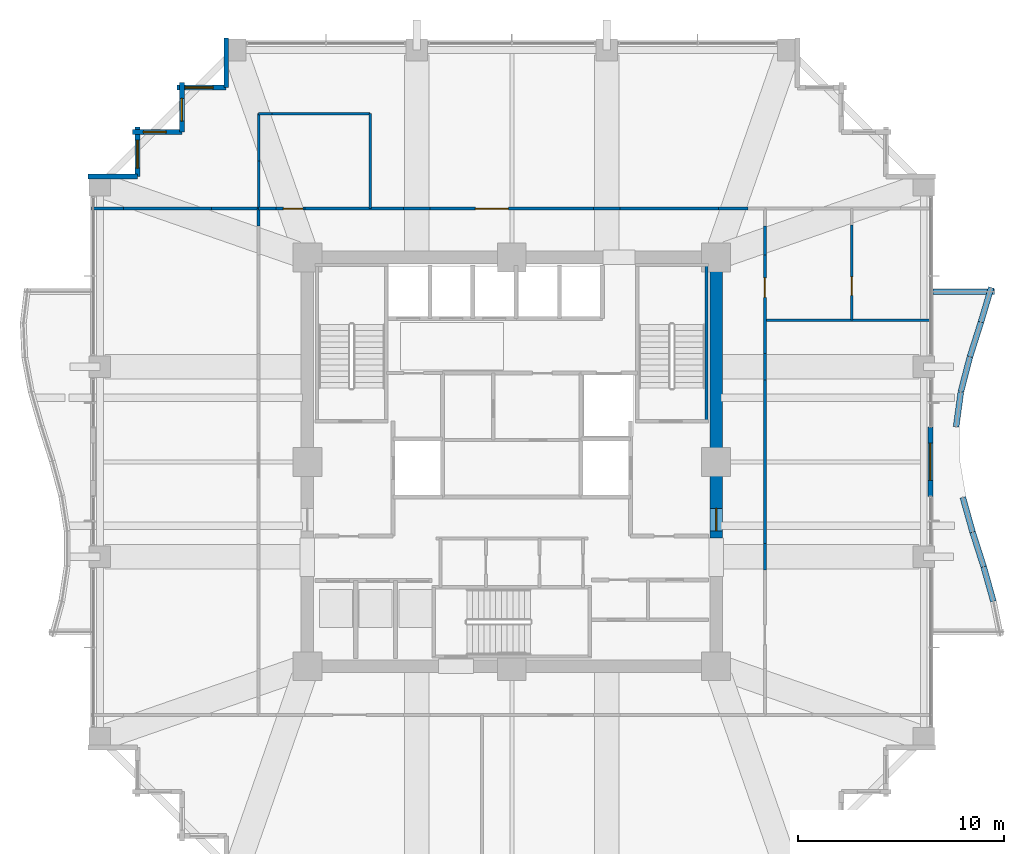
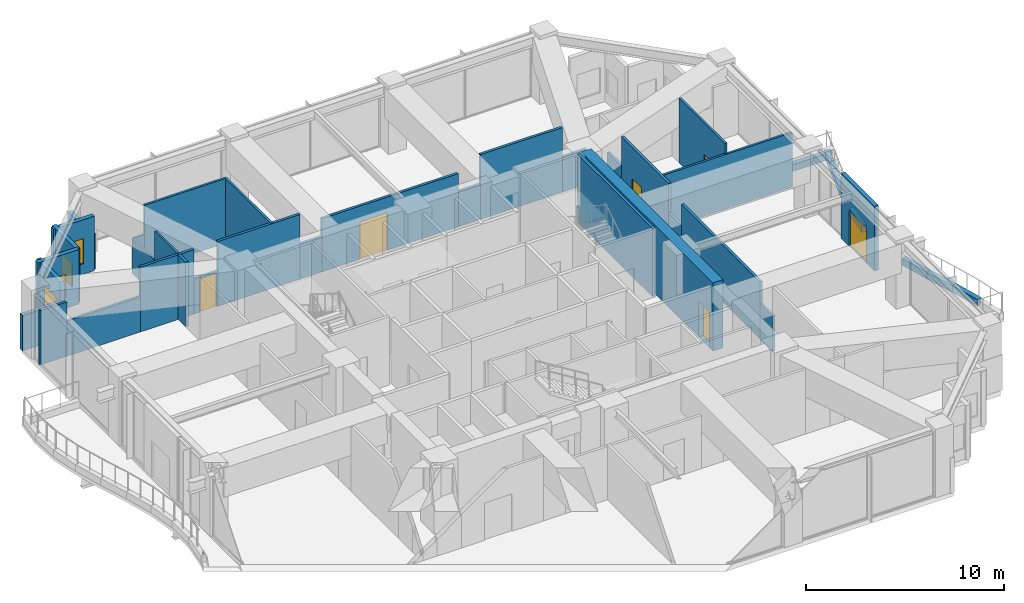
# One storey, part 36 of 40: 41 walls, 6 doors, 4 windows, 10 openings.
"""IFC4 building model written with IfcOpenShell, lengths in metres."""

from ifc_helpers import new_model, si_unit, direction, frame, frame_2d, origin, place, context, subcontext, project, spatial, rectangle, extrude, material, layer, layer_set, type_object, element, fill, save


model = new_model("IFC4")

# Units and contexts
model_context = context("Model", 3, precision=1e-05, world=origin(), true_north=direction((0.0, 1.0)))
body_context = subcontext(model_context, "Body", "Model", "MODEL_VIEW")
ifc_project = project(units=[si_unit("LENGTHUNIT", "METRE"), si_unit("AREAUNIT", "SQUARE_METRE"), si_unit("VOLUMEUNIT", "CUBIC_METRE"), si_unit("PLANEANGLEUNIT", "RADIAN"), si_unit("MASSUNIT", "GRAM", prefix="KILO")], contexts=[model_context])

# Site, building, storey
site_placement = place(None, origin())
site = spatial("IfcSite", under=ifc_project, at=site_placement, CompositionType="ELEMENT")
building_placement = place(site_placement, origin())
building = spatial("IfcBuilding", under=site, at=building_placement, Name="Kolvaren Belvedere", CompositionType="ELEMENT")
storey_placement = place(building_placement, frame((0.0, 0.0, 68.0)))
storey = spatial("IfcBuildingStorey", under=building, at=storey_placement, Name="L19", CompositionType="ELEMENT", Elevation=68.0)

# Wall, opening, door
ifc_material_1 = material(Name="Concrete C60/75", Category="concrete")
ifc_layer_1 = layer(ifc_material_1, 0.60009765625)
ifc_layer_set_1 = layer_set([ifc_layer_1], Name="Concrete C60/75")
wall_type_1 = type_object("IfcWallType", Name="CW-CORE-600", PredefinedType="SHEAR", material=ifc_layer_set_1)
wall_1_placement = place(storey_placement, frame((9.89990234375, -3.699951171875, 0.0), z_axis=(0.0, 0.0, 1.0), x_axis=(0.0, 1.0, 0.0)))
wall_1 = element("IfcWall", 1, at=wall_1_placement, inside=storey, type_object=wall_type_1, Name="L19 East Core Shear Wall 2", PredefinedType="SHEAR", context=body_context, shape_type="SweptSolid", body=[
    extrude(rectangle(XDim=13.300048828125, YDim=0.60009765625, at=frame_2d((6.64990234375, 0.0))), origin(), (0.0, 0.0, 1.0), 4.199951171875),
])
opening_1_placement = place(wall_1_placement, frame((0.35009765625, 0.0, 0.0)))
opening_1 = element("IfcOpeningElement", 2, at=opening_1_placement, cuts=wall_1, Name="Opening D-FD90", PredefinedType="OPENING", context=body_context, shape_type="SweptSolid", body=[
    extrude(rectangle(XDim=1.10009765625, YDim=2.199951171875, at=frame_2d((0.550048828125, 1.10009765625))), frame((0.0, 0.31005859375, 0.0), z_axis=(0.0, -1.0, 0.0), x_axis=(1.0, 0.0, 0.0)), (0.0, 0.0, 1.0), 0.6201171875),
])
ifc_material_2 = material(Name="Painted hollow stainless steel", Category="steel")
door_type_1 = type_object("IfcDoorType", Name="DR-FD90-1100", OperationType="NOTDEFINED", PredefinedType="DOOR", material=ifc_material_2)
door_1_placement = place(opening_1_placement, origin())
door_1 = element("IfcDoor", 3, at=door_1_placement, inside=storey, type_object=door_type_1, Name="L19 East Firefighting Lobby Fire Door", OperationType="SINGLE_SWING_RIGHT", OverallHeight=2.199951171875, OverallWidth=1.10009765625, PredefinedType="DOOR", context=body_context, shape_type="SweptSolid", body=[
    extrude(rectangle(XDim=1.10009765625, YDim=2.199951171875, at=frame_2d((0.550048828125, 1.10009765625))), frame((0.0, 0.02490234375, 0.0), z_axis=(0.0, -1.0, 0.0), x_axis=(1.0, 0.0, 0.0)), (0.0, 0.0, 1.0), 0.050048828125),
])
fill(opening_1, door_1)

# Walls
ifc_material_3 = material(Name="Concrete C50/60", Category="concrete")
ifc_layer_2 = layer(ifc_material_3, 0.159912109375)
ifc_layer_set_2 = layer_set([ifc_layer_2], Name="Concrete C50/60")
wall_type_2 = type_object("IfcWallType", Name="CW-STAIR-160", PredefinedType="SHEAR", material=ifc_layer_set_2)
wall_2_placement = place(storey_placement, frame((9.429931640625, 1.969970703125, 0.0), z_axis=(0.0, 0.0, 1.0), x_axis=(0.0, 1.0, 0.0)))
element("IfcWall", 4, at=wall_2_placement, inside=storey, type_object=wall_type_2, Name="L19 Stair ST-2 East Shear Wall", PredefinedType="SHEAR", context=body_context, shape_type="SweptSolid", body=[
    extrude(rectangle(XDim=7.56005859375, YDim=0.159912109375, at=frame_2d((3.780029296875, 0.0))), origin(), (0.0, 0.0, 1.0), 4.199951171875),
])
ifc_material_4 = material(Name="Gypsum fire-rated partition assembly", Category="gypsum")
ifc_layer_3 = layer(ifc_material_4, 0.14990234375)
ifc_layer_set_3 = layer_set([ifc_layer_3], Name="Gypsum fire-rated partition assembly")
wall_type_3 = type_object("IfcWallType", Name="WL-CORR-150", PredefinedType="PARTITIONING", material=ifc_layer_set_3)
wall_3_placement = place(storey_placement, frame((-12.260009765625, 12.260009765625, 0.0), z_axis=(0.0, 0.0, 1.0), x_axis=(1.0, 0.0, 0.0)))
element("IfcWall", 5, at=wall_3_placement, inside=storey, type_object=wall_type_3, Name="L19 North Corridor Wall", PredefinedType="PARTITIONING", context=body_context, shape_type="SweptSolid", body=[
    extrude(rectangle(XDim=0.829833984375, YDim=0.14990234375, at=frame_2d((0.4150390625, 0.0))), origin(), (0.0, 0.0, 1.0), 3.97998046875),
])

# Wall, opening, door
wall_4_placement = place(storey_placement, frame((-11.43017578125, 12.260009765625, 0.0), z_axis=(0.0, 0.0, 1.0), x_axis=(1.0, 0.0, 0.0)))
wall_4 = element("IfcWall", 6, at=wall_4_placement, inside=storey, type_object=wall_type_3, Name="L19 North Corridor Wall", PredefinedType="PARTITIONING", context=body_context, shape_type="SweptSolid", body=[
    extrude(rectangle(XDim=1.416748046875, YDim=0.14990234375, at=frame_2d((0.70849609375, 0.0))), origin(), (0.0, 0.0, 1.0), 2.1650390625),
])
opening_2_placement = place(wall_4_placement, frame((0.36669921875, 0.0, 0.0)))
opening_2 = element("IfcOpeningElement", 7, at=opening_2_placement, cuts=wall_4, Name="Opening D-INT95", PredefinedType="OPENING", context=body_context, shape_type="SweptSolid", body=[
    extrude(rectangle(XDim=0.949951171875, YDim=2.06005859375, at=frame_2d((0.47509765625, 1.030029296875))), frame((0.0, 0.0849609375, 0.0), z_axis=(0.0, -1.0, 0.0), x_axis=(1.0, 0.0, 0.0)), (0.0, 0.0, 1.0), 0.169921875),
])
ifc_material_5 = material(Name="Stained Pacific white oak", Category="timber")
door_type_2 = type_object("IfcDoorType", Name="DR-INT-950", OperationType="NOTDEFINED", PredefinedType="DOOR", material=ifc_material_5)
door_2_placement = place(opening_2_placement, origin())
door_2 = element("IfcDoor", 8, at=door_2_placement, inside=storey, type_object=door_type_2, Name="L19 Accessible Sky Washroom Door", OperationType="SINGLE_SWING_LEFT", OverallHeight=2.06005859375, OverallWidth=0.949951171875, PredefinedType="DOOR", context=body_context, shape_type="SweptSolid", body=[
    extrude(rectangle(XDim=0.949951171875, YDim=2.06005859375, at=frame_2d((0.47509765625, 1.030029296875))), frame((0.0, 0.02490234375, 0.0), z_axis=(0.0, -1.0, 0.0), x_axis=(1.0, 0.0, 0.0)), (0.0, 0.0, 1.0), 0.050048828125),
])
fill(opening_2, door_2)

# Walls
wall_5_placement = place(storey_placement, frame((-10.013427734375, 12.260009765625, 0.0), z_axis=(0.0, 0.0, 1.0), x_axis=(1.0, 0.0, 0.0)))
element("IfcWall", 9, at=wall_5_placement, inside=storey, type_object=wall_type_3, Name="L19 North Corridor Wall", PredefinedType="PARTITIONING", context=body_context, shape_type="SweptSolid", body=[
    extrude(rectangle(XDim=4.771484375, YDim=0.14990234375, at=frame_2d((2.3857421875, 0.0))), origin(), (0.0, 0.0, 1.0), 3.97998046875),
])
wall_6_placement = place(storey_placement, frame((-5.241943359375, 12.260009765625, 0.0), z_axis=(0.0, 0.0, 1.0), x_axis=(1.0, 0.0, 0.0)))
element("IfcWall", 10, at=wall_6_placement, inside=storey, type_object=wall_type_3, Name="L19 North Corridor Wall", PredefinedType="PARTITIONING", context=body_context, shape_type="SweptSolid", body=[
    extrude(rectangle(XDim=1.283935546875, YDim=0.14990234375, at=frame_2d((0.64208984375, 0.0))), origin(), (0.0, 0.0, 1.0), 2.1650390625),
])

# Wall, opening, door
wall_7_placement = place(storey_placement, frame((-3.9580078125, 12.260009765625, 0.0), z_axis=(0.0, 0.0, 1.0), x_axis=(1.0, 0.0, 0.0)))
wall_7 = element("IfcWall", 11, at=wall_7_placement, inside=storey, type_object=wall_type_3, Name="L19 North Corridor Wall", PredefinedType="PARTITIONING", context=body_context, shape_type="SweptSolid", body=[
    extrude(rectangle(XDim=7.916015625, YDim=0.14990234375, at=frame_2d((3.9580078125, 0.0))), origin(), (0.0, 0.0, 1.0), 3.26904296875),
])
opening_3_placement = place(wall_7_placement, frame((2.197998046875, 0.0, 0.0)))
opening_3 = element("IfcOpeningElement", 12, at=opening_3_placement, cuts=wall_7, Name="Opening D-GL16", PredefinedType="OPENING", context=body_context, shape_type="SweptSolid", body=[
    extrude(rectangle(XDim=1.60009765625, YDim=2.300048828125, at=frame_2d((0.800048828125, 1.14990234375))), frame((0.0, 0.0849609375, 0.0), z_axis=(0.0, -1.0, 0.0), x_axis=(1.0, 0.0, 0.0)), (0.0, 0.0, 1.0), 0.169921875),
])
ifc_material_6 = material(Name="Anodised pale-metal aluminium & safety glass", Category="aluminium")
door_type_3 = type_object("IfcDoorType", Name="DR-GLAZ-1600", OperationType="DOUBLE_DOOR_SINGLE_SWING", PredefinedType="DOOR", material=ifc_material_6)
door_3_placement = place(opening_3_placement, origin())
door_3 = element("IfcDoor", 13, at=door_3_placement, inside=storey, type_object=door_type_3, Name="L19 North Panoramic Lounge Door", OperationType="DOUBLE_DOOR_SINGLE_SWING", OverallHeight=2.300048828125, OverallWidth=1.60009765625, PredefinedType="DOOR", context=body_context, shape_type="SweptSolid", body=[
    extrude(rectangle(XDim=1.60009765625, YDim=2.300048828125, at=frame_2d((0.800048828125, 1.14990234375))), frame((0.0, 0.02490234375, 0.0), z_axis=(0.0, -1.0, 0.0), x_axis=(1.0, 0.0, 0.0)), (0.0, 0.0, 1.0), 0.050048828125),
])
fill(opening_3, door_3)

# Walls
wall_8_placement = place(storey_placement, frame((3.9580078125, 12.260009765625, 0.0), z_axis=(0.0, 0.0, 1.0), x_axis=(1.0, 0.0, 0.0)))
element("IfcWall", 14, at=wall_8_placement, inside=storey, type_object=wall_type_3, Name="L19 North Corridor Wall", PredefinedType="PARTITIONING", context=body_context, shape_type="SweptSolid", body=[
    extrude(rectangle(XDim=1.283935546875, YDim=0.14990234375, at=frame_2d((0.64208984375, 0.0))), origin(), (0.0, 0.0, 1.0), 2.1650390625),
])
wall_9_placement = place(storey_placement, frame((5.241943359375, 12.260009765625, 0.0), z_axis=(0.0, 0.0, 1.0), x_axis=(1.0, 0.0, 0.0)))
element("IfcWall", 15, at=wall_9_placement, inside=storey, type_object=wall_type_3, Name="L19 North Corridor Wall", PredefinedType="PARTITIONING", context=body_context, shape_type="SweptSolid", body=[
    extrude(rectangle(XDim=4.771484375, YDim=0.14990234375, at=frame_2d((2.3857421875, 0.0))), origin(), (0.0, 0.0, 1.0), 3.97998046875),
])
wall_10_placement = place(storey_placement, frame((10.013427734375, 12.260009765625, 0.0), z_axis=(0.0, 0.0, 1.0), x_axis=(1.0, 0.0, 0.0)))
element("IfcWall", 16, at=wall_10_placement, inside=storey, type_object=wall_type_3, Name="L19 North Corridor Wall", PredefinedType="PARTITIONING", context=body_context, shape_type="SweptSolid", body=[
    extrude(rectangle(XDim=1.416748046875, YDim=0.14990234375, at=frame_2d((0.70849609375, 0.0))), origin(), (0.0, 0.0, 1.0), 2.1650390625),
])
wall_11_placement = place(storey_placement, frame((-12.260009765625, 11.43017578125, 0.0), z_axis=(0.0, 0.0, 1.0), x_axis=(0.0, 1.0, 0.0)))
element("IfcWall", 17, at=wall_11_placement, inside=storey, type_object=wall_type_3, Name="L19 West Corridor Wall", PredefinedType="PARTITIONING", context=body_context, shape_type="SweptSolid", body=[
    extrude(rectangle(XDim=0.829833984375, YDim=0.14990234375, at=frame_2d((0.4150390625, 0.0))), origin(), (0.0, 0.0, 1.0), 3.97998046875),
])
wall_12_placement = place(storey_placement, frame((12.260009765625, -5.241943359375, 0.0), z_axis=(0.0, 0.0, 1.0), x_axis=(0.0, 1.0, 0.0)))
element("IfcWall", 18, at=wall_12_placement, inside=storey, type_object=wall_type_3, Name="L19 East Corridor Wall", PredefinedType="PARTITIONING", context=body_context, shape_type="SweptSolid", body=[
    extrude(rectangle(XDim=1.283935546875, YDim=0.14990234375, at=frame_2d((0.64208984375, 0.0))), origin(), (0.0, 0.0, 1.0), 2.1650390625),
])
wall_13_placement = place(storey_placement, frame((12.260009765625, -3.9580078125, 0.0), z_axis=(0.0, 0.0, 1.0), x_axis=(0.0, 1.0, 0.0)))
element("IfcWall", 19, at=wall_13_placement, inside=storey, type_object=wall_type_3, Name="L19 East Corridor Wall", PredefinedType="PARTITIONING", context=body_context, shape_type="SweptSolid", body=[
    extrude(rectangle(XDim=7.916015625, YDim=0.14990234375, at=frame_2d((3.9580078125, 0.0))), origin(), (0.0, 0.0, 1.0), 3.5048828125),
])
wall_14_placement = place(storey_placement, frame((12.260009765625, 3.9580078125, 0.0), z_axis=(0.0, 0.0, 1.0), x_axis=(0.0, 1.0, 0.0)))
element("IfcWall", 20, at=wall_14_placement, inside=storey, type_object=wall_type_3, Name="L19 East Corridor Wall", PredefinedType="PARTITIONING", context=body_context, shape_type="SweptSolid", body=[
    extrude(rectangle(XDim=1.283935546875, YDim=0.14990234375, at=frame_2d((0.64208984375, 0.0))), origin(), (0.0, 0.0, 1.0), 2.1650390625),
])

# Wall, opening, door
wall_15_placement = place(storey_placement, frame((12.260009765625, 5.241943359375, 0.0), z_axis=(0.0, 0.0, 1.0), x_axis=(0.0, 1.0, 0.0)))
wall_15 = element("IfcWall", 21, at=wall_15_placement, inside=storey, type_object=wall_type_3, Name="L19 East Corridor Wall", PredefinedType="PARTITIONING", context=body_context, shape_type="SweptSolid", body=[
    extrude(rectangle(XDim=4.771484375, YDim=0.14990234375, at=frame_2d((2.3857421875, 0.0))), origin(), (0.0, 0.0, 1.0), 3.97998046875),
])
opening_4_placement = place(wall_15_placement, frame((2.718017578125, 0.0, 0.0)))
opening_4 = element("IfcOpeningElement", 22, at=opening_4_placement, cuts=wall_15, Name="Opening D-INT95", PredefinedType="OPENING", context=body_context, shape_type="SweptSolid", body=[
    extrude(rectangle(XDim=0.949951171875, YDim=2.06005859375, at=frame_2d((0.47509765625, 1.030029296875))), frame((0.0, 0.0849609375, 0.0), z_axis=(0.0, -1.0, 0.0), x_axis=(1.0, 0.0, 0.0)), (0.0, 0.0, 1.0), 0.169921875),
])
door_4_placement = place(opening_4_placement, origin())
door_4 = element("IfcDoor", 23, at=door_4_placement, inside=storey, type_object=door_type_2, Name="L19 Sky Lobby Public Washroom Door", OperationType="SINGLE_SWING_RIGHT", OverallHeight=2.06005859375, OverallWidth=0.949951171875, PredefinedType="DOOR", context=body_context, shape_type="SweptSolid", body=[
    extrude(rectangle(XDim=0.949951171875, YDim=2.06005859375, at=frame_2d((0.47509765625, 1.030029296875))), frame((0.0, 0.02490234375, 0.0), z_axis=(0.0, -1.0, 0.0), x_axis=(1.0, 0.0, 0.0)), (0.0, 0.0, 1.0), 0.050048828125),
])
fill(opening_4, door_4)

# Walls
wall_16_placement = place(storey_placement, frame((12.260009765625, 10.013427734375, 0.0), z_axis=(0.0, 0.0, 1.0), x_axis=(0.0, 1.0, 0.0)))
element("IfcWall", 24, at=wall_16_placement, inside=storey, type_object=wall_type_3, Name="L19 East Corridor Wall", PredefinedType="PARTITIONING", context=body_context, shape_type="SweptSolid", body=[
    extrude(rectangle(XDim=1.416748046875, YDim=0.14990234375, at=frame_2d((0.70849609375, 0.0))), origin(), (0.0, 0.0, 1.0), 2.1650390625),
])
wall_17_placement = place(storey_placement, frame((-20.3798828125, 12.260009765625, 0.0), z_axis=(0.0, 0.0, 1.0), x_axis=(1.0, 0.0, 0.0)))
element("IfcWall", 25, at=wall_17_placement, inside=storey, type_object=wall_type_3, Name="L19 Sector Wall PW-L19-QNW", PredefinedType="PARTITIONING", context=body_context, shape_type="SweptSolid", body=[
    extrude(rectangle(XDim=1.5625, YDim=0.14990234375, at=frame_2d((0.78125, 0.0))), origin(), (0.0, 0.0, 1.0), 3.34912109375),
])
wall_18_placement = place(storey_placement, frame((-18.8173828125, 12.260009765625, 0.0), z_axis=(0.0, 0.0, 1.0), x_axis=(1.0, 0.0, 0.0)))
element("IfcWall", 26, at=wall_18_placement, inside=storey, type_object=wall_type_3, Name="L19 Sector Wall PW-L19-QNW", PredefinedType="PARTITIONING", context=body_context, shape_type="SweptSolid", body=[
    extrude(rectangle(XDim=4.281494140625, YDim=0.14990234375, at=frame_2d((2.140625, 0.0))), origin(), (0.0, 0.0, 1.0), 2.1650390625),
])
wall_19_placement = place(storey_placement, frame((-14.535888671875, 12.260009765625, 0.0), z_axis=(0.0, 0.0, 1.0), x_axis=(1.0, 0.0, 0.0)))
element("IfcWall", 27, at=wall_19_placement, inside=storey, type_object=wall_type_3, Name="L19 Sector Wall PW-L19-QNW", PredefinedType="PARTITIONING", context=body_context, shape_type="SweptSolid", body=[
    extrude(rectangle(XDim=2.27587890625, YDim=0.14990234375, at=frame_2d((1.137939453125, 0.0))), origin(), (0.0, 0.0, 1.0), 3.97998046875),
])

# Wall, opening, door
ifc_material_7 = material(Name="Insulated pale-metal facade wall assembly", Category="aluminium")
ifc_layer_4 = layer(ifc_material_7, 0.239990234375)
ifc_layer_set_4 = layer_set([ifc_layer_4], Name="Insulated pale-metal facade wall assembly")
wall_type_4 = type_object("IfcWallType", Name="WL-EXT-240", PredefinedType="STANDARD", material=ifc_layer_set_4)
wall_20_placement = place(storey_placement, frame((20.280029296875, 1.679931640625, 0.0), z_axis=(0.0, 0.0, 1.0), x_axis=(0.0, -1.0, 0.0)))
wall_20 = element("IfcWall", 28, at=wall_20_placement, inside=storey, type_object=wall_type_4, Name="L19 East Terrace Portal Wall", PredefinedType="STANDARD", context=body_context, shape_type="SweptSolid", body=[
    extrude(rectangle(XDim=3.35986328125, YDim=0.239990234375, at=frame_2d((1.679931640625, 0.0))), origin(), (0.0, 0.0, 1.0), 3.97998046875),
])
opening_5_placement = place(wall_20_placement, frame((0.780029296875, 0.0, 0.0)))
opening_5 = element("IfcOpeningElement", 29, at=opening_5_placement, cuts=wall_20, Name="Opening DB-1800", PredefinedType="OPENING", context=body_context, shape_type="SweptSolid", body=[
    extrude(rectangle(XDim=1.800048828125, YDim=2.199951171875, at=frame_2d((0.89990234375, 1.10009765625))), frame((0.0, 0.1298828125, 0.0), z_axis=(0.0, -1.0, 0.0), x_axis=(1.0, 0.0, 0.0)), (0.0, 0.0, 1.0), 0.260009765625),
])
ifc_material_8 = material(Name="Thermally broken pale-metal aluminium & low-iron glass", Category="aluminium")
door_type_4 = type_object("IfcDoorType", Name="DR-BAL-1800", OperationType="DOUBLE_DOOR_SLIDING", PredefinedType="DOOR", material=ifc_material_8)
door_5_placement = place(opening_5_placement, origin())
door_5 = element("IfcDoor", 30, at=door_5_placement, inside=storey, type_object=door_type_4, Name="L19 East Planted Terrace Sliding Door", OperationType="DOUBLE_DOOR_SLIDING", OverallHeight=2.199951171875, OverallWidth=1.800048828125, PredefinedType="DOOR", context=body_context, shape_type="SweptSolid", body=[
    extrude(rectangle(XDim=1.800048828125, YDim=2.199951171875, at=frame_2d((0.89990234375, 1.10009765625))), frame((0.0, 0.02490234375, 0.0), z_axis=(0.0, -1.0, 0.0), x_axis=(1.0, 0.0, 0.0)), (0.0, 0.0, 1.0), 0.050048828125),
])
fill(opening_5, door_5)

# Wall
wall_21_placement = place(storey_placement, frame((-13.830078125, 18.1298828125, 0.0), z_axis=(0.0, 0.0, 1.0), x_axis=(0.0, 1.0, 0.0)))
element("IfcWall", 31, at=wall_21_placement, inside=storey, type_object=wall_type_4, Name="L19 Serrated Corner Facade Wall 16", PredefinedType="STANDARD", context=body_context, shape_type="SweptSolid", body=[
    extrude(rectangle(XDim=2.39013671875, YDim=0.239990234375, at=frame_2d((1.195068359375, 0.0))), origin(), (0.0, 0.0, 1.0), 2.175048828125),
])

# Wall, opening, window
wall_22_placement = place(storey_placement, frame((-16.219970703125, 18.1298828125, 0.0), z_axis=(0.0, 0.0, 1.0), x_axis=(1.0, 0.0, 0.0)))
wall_22 = element("IfcWall", 32, at=wall_22_placement, inside=storey, type_object=wall_type_4, Name="L19 Serrated Corner Facade Wall 17", PredefinedType="STANDARD", context=body_context, shape_type="SweptSolid", body=[
    extrude(rectangle(XDim=2.389892578125, YDim=0.239990234375, at=frame_2d((1.19482421875, 0.0))), origin(), (0.0, 0.0, 1.0), 3.35888671875),
])
opening_6_placement = place(wall_22_placement, frame((0.39990234375, 0.0, 0.64990234375)))
opening_6 = element("IfcOpeningElement", 33, at=opening_6_placement, cuts=wall_22, Name="Opening W-1350", PredefinedType="OPENING", context=body_context, shape_type="SweptSolid", body=[
    extrude(rectangle(XDim=1.35009765625, YDim=1.550048828125, at=frame_2d((0.675048828125, 0.77490234375))), frame((0.0, 0.1298828125, 0.0), z_axis=(0.0, -1.0, 0.0), x_axis=(1.0, 0.0, 0.0)), (0.0, 0.0, 1.0), 0.260009765625),
])
ifc_material_9 = material(Name="Low-iron triple insulated glass", Category="glass")
window_type_1 = type_object("IfcWindowType", Name="WN-CORN-1350", PartitioningType="SINGLE_PANEL", PredefinedType="WINDOW", material=ifc_material_9)
window_1_placement = place(opening_6_placement, origin())
window_1 = element("IfcWindow", 34, at=window_1_placement, inside=storey, type_object=window_type_1, Name="L19 Serrated Corner Vision Window 17", OverallHeight=1.550048828125, OverallWidth=1.35009765625, PartitioningType="SINGLE_PANEL", PredefinedType="WINDOW", context=body_context, shape_type="SweptSolid", body=[
    extrude(rectangle(XDim=1.35009765625, YDim=1.550048828125, at=frame_2d((0.675048828125, 0.77490234375))), frame((0.0, 0.030029296875, 0.0), z_axis=(0.0, -1.0, 0.0), x_axis=(1.0, 0.0, 0.0)), (0.0, 0.0, 1.0), 0.06005859375),
])
fill(opening_6, window_1)

wall_23_placement = place(storey_placement, frame((-15.97998046875, 15.97998046875, 0.0), z_axis=(0.0, 0.0, 1.0), x_axis=(0.0, 1.0, 0.0)))
wall_23 = element("IfcWall", 35, at=wall_23_placement, inside=storey, type_object=wall_type_4, Name="L19 Serrated Corner Facade Wall 18", PredefinedType="STANDARD", context=body_context, shape_type="SweptSolid", body=[
    extrude(rectangle(XDim=2.39013671875, YDim=0.239990234375, at=frame_2d((1.195068359375, 0.0))), origin(), (0.0, 0.0, 1.0), 3.35888671875),
])
opening_7_placement = place(wall_23_placement, frame((0.52490234375, 0.0, 0.64990234375)))
opening_7 = element("IfcOpeningElement", 36, at=opening_7_placement, cuts=wall_23, Name="Opening W-1100", PredefinedType="OPENING", context=body_context, shape_type="SweptSolid", body=[
    extrude(rectangle(XDim=1.10009765625, YDim=1.449951171875, at=frame_2d((0.550048828125, 0.72509765625))), frame((0.0, 0.1298828125, 0.0), z_axis=(0.0, -1.0, 0.0), x_axis=(1.0, 0.0, 0.0)), (0.0, 0.0, 1.0), 0.260009765625),
])
ifc_material_10 = material(Name="Low-iron triple insulated glass", Category="glass")
window_type_2 = type_object("IfcWindowType", Name="WN-CORN-1100", PartitioningType="SINGLE_PANEL", PredefinedType="WINDOW", material=ifc_material_10)
window_2_placement = place(opening_7_placement, origin())
window_2 = element("IfcWindow", 37, at=window_2_placement, inside=storey, type_object=window_type_2, Name="L19 Serrated Corner Vision Window 18", OverallHeight=1.449951171875, OverallWidth=1.10009765625, PartitioningType="SINGLE_PANEL", PredefinedType="WINDOW", context=body_context, shape_type="SweptSolid", body=[
    extrude(rectangle(XDim=1.10009765625, YDim=1.449951171875, at=frame_2d((0.550048828125, 0.72509765625))), frame((0.0, 0.030029296875, 0.0), z_axis=(0.0, -1.0, 0.0), x_axis=(1.0, 0.0, 0.0)), (0.0, 0.0, 1.0), 0.06005859375),
])
fill(opening_7, window_2)

wall_24_placement = place(storey_placement, frame((-18.3701171875, 15.97998046875, 0.0), z_axis=(0.0, 0.0, 1.0), x_axis=(1.0, 0.0, 0.0)))
wall_24 = element("IfcWall", 38, at=wall_24_placement, inside=storey, type_object=wall_type_4, Name="L19 Serrated Corner Facade Wall 19", PredefinedType="STANDARD", context=body_context, shape_type="SweptSolid", body=[
    extrude(rectangle(XDim=2.39013671875, YDim=0.239990234375, at=frame_2d((1.195068359375, 0.0))), origin(), (0.0, 0.0, 1.0), 3.35888671875),
])
opening_8_placement = place(wall_24_placement, frame((0.52490234375, 0.0, 0.64990234375)))
opening_8 = element("IfcOpeningElement", 39, at=opening_8_placement, cuts=wall_24, Name="Opening W-1100", PredefinedType="OPENING", context=body_context, shape_type="SweptSolid", body=[
    extrude(rectangle(XDim=1.10009765625, YDim=1.449951171875, at=frame_2d((0.550048828125, 0.72509765625))), frame((0.0, 0.1298828125, 0.0), z_axis=(0.0, -1.0, 0.0), x_axis=(1.0, 0.0, 0.0)), (0.0, 0.0, 1.0), 0.260009765625),
])
window_3_placement = place(opening_8_placement, origin())
window_3 = element("IfcWindow", 40, at=window_3_placement, inside=storey, type_object=window_type_2, Name="L19 Serrated Corner Vision Window 19", OverallHeight=1.449951171875, OverallWidth=1.10009765625, PartitioningType="SINGLE_PANEL", PredefinedType="WINDOW", context=body_context, shape_type="SweptSolid", body=[
    extrude(rectangle(XDim=1.10009765625, YDim=1.449951171875, at=frame_2d((0.550048828125, 0.72509765625))), frame((0.0, 0.030029296875, 0.0), z_axis=(0.0, -1.0, 0.0), x_axis=(1.0, 0.0, 0.0)), (0.0, 0.0, 1.0), 0.06005859375),
])
fill(opening_8, window_3)

wall_25_placement = place(storey_placement, frame((-18.1298828125, 13.830078125, 0.0), z_axis=(0.0, 0.0, 1.0), x_axis=(0.0, 1.0, 0.0)))
wall_25 = element("IfcWall", 41, at=wall_25_placement, inside=storey, type_object=wall_type_4, Name="L19 Serrated Corner Facade Wall 20", PredefinedType="STANDARD", context=body_context, shape_type="SweptSolid", body=[
    extrude(rectangle(XDim=2.389892578125, YDim=0.239990234375, at=frame_2d((1.19482421875, 0.0))), origin(), (0.0, 0.0, 1.0), 3.35888671875),
])
opening_9_placement = place(wall_25_placement, frame((0.39990234375, 0.0, 0.64990234375)))
opening_9 = element("IfcOpeningElement", 42, at=opening_9_placement, cuts=wall_25, Name="Opening W-1350", PredefinedType="OPENING", context=body_context, shape_type="SweptSolid", body=[
    extrude(rectangle(XDim=1.35009765625, YDim=1.550048828125, at=frame_2d((0.675048828125, 0.77490234375))), frame((0.0, 0.1298828125, 0.0), z_axis=(0.0, -1.0, 0.0), x_axis=(1.0, 0.0, 0.0)), (0.0, 0.0, 1.0), 0.260009765625),
])
window_4_placement = place(opening_9_placement, origin())
window_4 = element("IfcWindow", 43, at=window_4_placement, inside=storey, type_object=window_type_1, Name="L19 Serrated Corner Vision Window 20", OverallHeight=1.550048828125, OverallWidth=1.35009765625, PartitioningType="SINGLE_PANEL", PredefinedType="WINDOW", context=body_context, shape_type="SweptSolid", body=[
    extrude(rectangle(XDim=1.35009765625, YDim=1.550048828125, at=frame_2d((0.675048828125, 0.77490234375))), frame((0.0, 0.030029296875, 0.0), z_axis=(0.0, -1.0, 0.0), x_axis=(1.0, 0.0, 0.0)), (0.0, 0.0, 1.0), 0.06005859375),
])
fill(opening_9, window_4)

# Walls
wall_26_placement = place(storey_placement, frame((-20.52001953125, 13.830078125, 0.0), z_axis=(0.0, 0.0, 1.0), x_axis=(1.0, 0.0, 0.0)))
element("IfcWall", 44, at=wall_26_placement, inside=storey, type_object=wall_type_4, Name="L19 Serrated Corner Facade Wall 21", PredefinedType="STANDARD", context=body_context, shape_type="SweptSolid", body=[
    extrude(rectangle(XDim=2.39013671875, YDim=0.239990234375, at=frame_2d((1.195068359375, 0.0))), origin(), (0.0, 0.0, 1.0), 2.175048828125),
])
ifc_material_11 = material(Name="Precast concrete C40/50", Category="concrete")
ifc_layer_5 = layer(ifc_material_11, 0.300048828125)
ifc_layer_set_5 = layer_set([ifc_layer_5], Name="Precast concrete C40/50")
wall_type_5 = type_object("IfcWallType", Name="WL-PLANTER-300", PredefinedType="PARAPET", material=ifc_layer_set_5)
wall_27_placement = place(storey_placement, frame((23.3251953125, -6.76318359375, -0.1201171875), z_axis=(0.0, 0.0, 1.0), x_axis=(-0.269801210823, 0.962916043401, 0.0)))
element("IfcWall", 45, at=wall_27_placement, inside=storey, type_object=wall_type_5, Name="L19 Precast Structural Planter Wall BAL-E-2", PredefinedType="PARAPET", context=body_context, shape_type="SweptSolid", body=[
    extrude(rectangle(XDim=1.74462890625, YDim=0.280029296875, at=frame_2d((0.872314453125, 0.0))), origin(), (0.0, 0.0, 1.0), 0.420166015625),
])
wall_28_placement = place(storey_placement, frame((22.856201171875, -5.088623046875, -0.1201171875), z_axis=(0.0, 0.0, 1.0), x_axis=(-0.304534629099, 0.952501264923, 0.0)))
element("IfcWall", 46, at=wall_28_placement, inside=storey, type_object=wall_type_5, Name="L19 Precast Structural Planter Wall BAL-E-3", PredefinedType="PARAPET", context=body_context, shape_type="SweptSolid", body=[
    extrude(rectangle(XDim=1.763671875, YDim=0.280029296875, at=frame_2d((0.8818359375, 0.0))), origin(), (0.0, 0.0, 1.0), 0.420166015625),
])
wall_29_placement = place(storey_placement, frame((22.3173828125, -3.4033203125, -0.1201171875), z_axis=(0.0, 0.0, 1.0), x_axis=(-0.269764860108, 0.962926227834, 0.0)))
element("IfcWall", 47, at=wall_29_placement, inside=storey, type_object=wall_type_5, Name="L19 Precast Structural Planter Wall BAL-E-4", PredefinedType="PARAPET", context=body_context, shape_type="SweptSolid", body=[
    extrude(rectangle(XDim=1.744873046875, YDim=0.280029296875, at=frame_2d((0.87255859375, 0.0))), origin(), (0.0, 0.0, 1.0), 0.420166015625),
])
wall_30_placement = place(storey_placement, frame((21.5205078125, 1.70166015625, -0.1201171875), z_axis=(0.0, 0.0, 1.0), x_axis=(0.134926850989, 0.990855562068, 0.0)))
element("IfcWall", 48, at=wall_30_placement, inside=storey, type_object=wall_type_5, Name="L19 Precast Structural Planter Wall BAL-E-7", PredefinedType="PARAPET", context=body_context, shape_type="SweptSolid", body=[
    extrude(rectangle(XDim=1.695556640625, YDim=0.280029296875, at=frame_2d((0.84765625, 0.0))), origin(), (0.0, 0.0, 1.0), 0.420166015625),
])
wall_31_placement = place(storey_placement, frame((21.7529296875, 3.400146484375, -0.1201171875), z_axis=(0.0, 0.0, 1.0), x_axis=(0.250439664624, 0.968132209145, 0.0)))
element("IfcWall", 49, at=wall_31_placement, inside=storey, type_object=wall_type_5, Name="L19 Precast Structural Planter Wall BAL-E-8", PredefinedType="PARAPET", context=body_context, shape_type="SweptSolid", body=[
    extrude(rectangle(XDim=1.7353515625, YDim=0.280029296875, at=frame_2d((0.86767578125, 0.0))), origin(), (0.0, 0.0, 1.0), 0.420166015625),
])
wall_32_placement = place(storey_placement, frame((22.18994140625, 5.08837890625, -0.1201171875), z_axis=(0.0, 0.0, 1.0), x_axis=(0.302397356111, 0.953181954832, 0.0)))
element("IfcWall", 50, at=wall_32_placement, inside=storey, type_object=wall_type_5, Name="L19 Precast Structural Planter Wall BAL-E-9", PredefinedType="PARAPET", context=body_context, shape_type="SweptSolid", body=[
    extrude(rectangle(XDim=1.762451171875, YDim=0.280029296875, at=frame_2d((0.88134765625, 0.0))), origin(), (0.0, 0.0, 1.0), 0.420166015625),
])
wall_33_placement = place(storey_placement, frame((22.721923828125, 6.765625, -0.1201171875), z_axis=(0.0, 0.0, 1.0), x_axis=(0.28500831833, 0.958525043221, 0.0)))
element("IfcWall", 51, at=wall_33_placement, inside=storey, type_object=wall_type_5, Name="L19 Precast Structural Planter Wall BAL-E-10", PredefinedType="PARAPET", context=body_context, shape_type="SweptSolid", body=[
    extrude(rectangle(XDim=1.752685546875, YDim=0.280029296875, at=frame_2d((0.87646484375, 0.0))), origin(), (0.0, 0.0, 1.0), 0.420166015625),
])
wall_34_placement = place(storey_placement, frame((23.374755859375, 8.239990234375, -0.1201171875), z_axis=(0.0, 0.0, 1.0), x_axis=(-1.0, 0.0, 0.0)))
element("IfcWall", 52, at=wall_34_placement, inside=storey, type_object=wall_type_5, Name="L19 Precast Structural Planter Wall BAL-E-11", PredefinedType="PARAPET", context=body_context, shape_type="SweptSolid", body=[
    extrude(rectangle(XDim=2.974853515625, YDim=0.280029296875, at=frame_2d((1.4873046875, 0.0))), origin(), (0.0, 0.0, 1.0), 0.420166015625),
])
ifc_material_12 = material(Name="Moisture-resistant gypsum partition", Category="gypsum")
ifc_layer_6 = layer(ifc_material_12, 0.125)
ifc_layer_set_6 = layer_set([ifc_layer_6], Name="Moisture-resistant gypsum partition")
wall_type_6 = type_object("IfcWallType", Name="WL-WET-125", PredefinedType="PARTITIONING", material=ifc_layer_set_6)
wall_35_placement = place(storey_placement, frame((12.260009765625, 6.860107421875, 0.0), z_axis=(0.0, 0.0, 1.0), x_axis=(1.0, 0.0, 0.0)))
element("IfcWall", 53, at=wall_35_placement, inside=storey, type_object=wall_type_6, Name="L19 East Washroom Wall", PredefinedType="PARTITIONING", context=body_context, shape_type="SweptSolid", body=[
    extrude(rectangle(XDim=8.02001953125, YDim=0.125, at=frame_2d((4.010009765625, 0.0))), origin(), (0.0, 0.0, 1.0), 3.34912109375),
])

# Wall, opening, door
wall_36_placement = place(storey_placement, frame((16.4599609375, 6.860107421875, 0.0), z_axis=(0.0, 0.0, 1.0), x_axis=(0.0, 1.0, 0.0)))
wall_36 = element("IfcWall", 54, at=wall_36_placement, inside=storey, type_object=wall_type_6, Name="L19 East Washroom Back Wall", PredefinedType="PARTITIONING", context=body_context, shape_type="SweptSolid", body=[
    extrude(rectangle(XDim=4.62060546875, YDim=0.125, at=frame_2d((2.310302734375, 0.0))), origin(), (0.0, 0.0, 1.0), 3.97998046875),
])
opening_10_placement = place(wall_36_placement, frame((1.199951171875, 0.0, 0.0)))
opening_10 = element("IfcOpeningElement", 55, at=opening_10_placement, cuts=wall_36, Name="Opening D-INT90", PredefinedType="OPENING", context=body_context, shape_type="SweptSolid", body=[
    extrude(rectangle(XDim=0.89990234375, YDim=2.06005859375, at=frame_2d((0.449951171875, 1.030029296875))), frame((0.0, 0.072509765625, 0.0), z_axis=(0.0, -1.0, 0.0), x_axis=(1.0, 0.0, 0.0)), (0.0, 0.0, 1.0), 0.14501953125),
])
ifc_material_13 = material(Name="Stained Pacific white oak", Category="timber")
door_type_5 = type_object("IfcDoorType", Name="DR-INT-900", OperationType="NOTDEFINED", PredefinedType="DOOR", material=ifc_material_13)
door_6_placement = place(opening_10_placement, origin())
door_6 = element("IfcDoor", 56, at=door_6_placement, inside=storey, type_object=door_type_5, Name="L19 Hospitality Service Pantry Door", OperationType="SINGLE_SWING_LEFT", OverallHeight=2.06005859375, OverallWidth=0.89990234375, PredefinedType="DOOR", context=body_context, shape_type="SweptSolid", body=[
    extrude(rectangle(XDim=0.89990234375, YDim=2.06005859375, at=frame_2d((0.449951171875, 1.030029296875))), frame((0.0, 0.02490234375, 0.0), z_axis=(0.0, -1.0, 0.0), x_axis=(1.0, 0.0, 0.0)), (0.0, 0.0, 1.0), 0.050048828125),
])
fill(opening_10, door_6)

# Walls
wall_37_placement = place(storey_placement, frame((-12.260009765625, 12.260009765625, 0.0), z_axis=(0.0, 0.0, 1.0), x_axis=(0.0, 1.0, 0.0)))
element("IfcWall", 57, at=wall_37_placement, inside=storey, type_object=wall_type_6, Name="L19 Accessible WC West Wall", PredefinedType="PARTITIONING", context=body_context, shape_type="SweptSolid", body=[
    extrude(rectangle(XDim=2.311767578125, YDim=0.125, at=frame_2d((1.15576171875, 0.0))), origin(), (0.0, 0.0, 1.0), 3.97998046875),
])
wall_38_placement = place(storey_placement, frame((-12.260009765625, 14.57177734375, 0.0), z_axis=(0.0, 0.0, 1.0), x_axis=(0.0, 1.0, 0.0)))
element("IfcWall", 58, at=wall_38_placement, inside=storey, type_object=wall_type_6, Name="L19 Accessible WC West Wall", PredefinedType="PARTITIONING", context=body_context, shape_type="SweptSolid", body=[
    extrude(rectangle(XDim=2.288330078125, YDim=0.125, at=frame_2d((1.14404296875, 0.0))), origin(), (0.0, 0.0, 1.0), 2.1650390625),
])
wall_39_placement = place(storey_placement, frame((-6.860107421875, 12.260009765625, 0.0), z_axis=(0.0, 0.0, 1.0), x_axis=(0.0, 1.0, 0.0)))
element("IfcWall", 59, at=wall_39_placement, inside=storey, type_object=wall_type_6, Name="L19 Accessible WC East Wall", PredefinedType="PARTITIONING", context=body_context, shape_type="SweptSolid", body=[
    extrude(rectangle(XDim=4.60009765625, YDim=0.125, at=frame_2d((2.300048828125, 0.0))), origin(), (0.0, 0.0, 1.0), 3.97998046875),
])
wall_40_placement = place(storey_placement, frame((-12.260009765625, 16.860107421875, 0.0), z_axis=(0.0, 0.0, 1.0), x_axis=(1.0, 0.0, 0.0)))
element("IfcWall", 60, at=wall_40_placement, inside=storey, type_object=wall_type_6, Name="L19 Accessible WC North Wall", PredefinedType="PARTITIONING", context=body_context, shape_type="SweptSolid", body=[
    extrude(rectangle(XDim=0.64013671875, YDim=0.125, at=frame_2d((0.320068359375, 0.0))), origin(), (0.0, 0.0, 1.0), 2.1650390625),
])
wall_41_placement = place(storey_placement, frame((-11.619873046875, 16.860107421875, 0.0), z_axis=(0.0, 0.0, 1.0), x_axis=(1.0, 0.0, 0.0)))
element("IfcWall", 61, at=wall_41_placement, inside=storey, type_object=wall_type_6, Name="L19 Accessible WC North Wall", PredefinedType="PARTITIONING", context=body_context, shape_type="SweptSolid", body=[
    extrude(rectangle(XDim=4.759765625, YDim=0.125, at=frame_2d((2.3798828125, 0.0))), origin(), (0.0, 0.0, 1.0), 3.97998046875),
])

save(model, "model.ifc")
